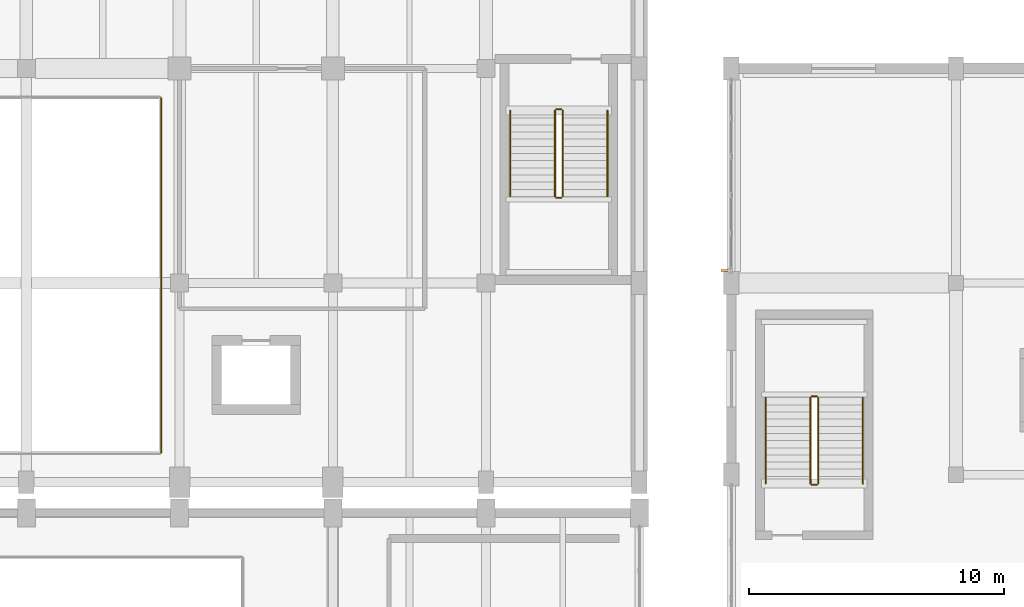
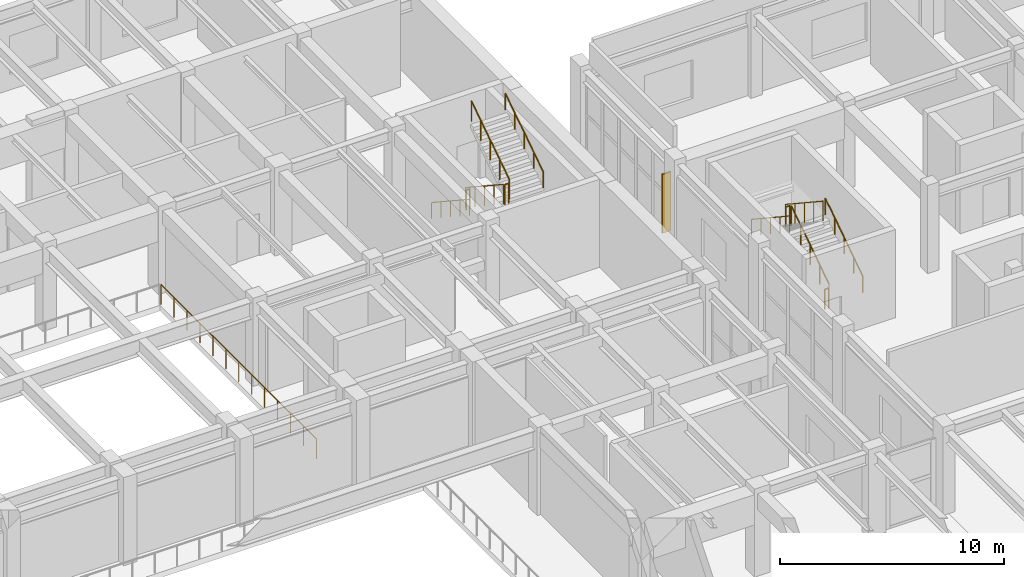
# One storey, part 95 of 96: 13 railings, 1 shading device.
"""IFC4 building model written with IfcOpenShell, lengths in metres."""

from ifc_helpers import new_model, si_unit, direction, frame, origin, origin_2d, place, context, subcontext, project, spatial, rectangle, circle, extrude, material, type_object, element, save


model = new_model("IFC4")

# Units and contexts
model_context = context("Model", 3, precision=1e-05, world=origin(), true_north=direction((0.0, 1.0)))
body_context = subcontext(model_context, "Body", "Model", "MODEL_VIEW")
ifc_project = project(units=[si_unit("LENGTHUNIT", "METRE"), si_unit("AREAUNIT", "SQUARE_METRE"), si_unit("VOLUMEUNIT", "CUBIC_METRE"), si_unit("PLANEANGLEUNIT", "RADIAN"), si_unit("MASSUNIT", "GRAM", prefix="KILO")], contexts=[model_context])

# Site, building, storey
site_placement = place(None, origin())
site = spatial("IfcSite", under=ifc_project, at=site_placement, CompositionType="ELEMENT")
building_placement = place(site_placement, origin())
building = spatial("IfcBuilding", under=site, at=building_placement, Name="Vaelkrest Opera House", CompositionType="ELEMENT")
storey_placement = place(building_placement, frame((0.0, 0.0, 5.39990234375)))
storey = spatial("IfcBuildingStorey", under=building, at=storey_placement, Name="L01", CompositionType="ELEMENT", Elevation=5.39990234375)

# Shading device
ifc_material = material(Name="Dark bronze anodized aluminium", Category="aluminium")
shading_device_type = type_object("IfcShadingDeviceType", Name="FIN01", PredefinedType="USERDEFINED", material=ifc_material)
shading_device_placement = place(storey_placement, frame((33.419921875, 25.685546875, 0.31396484375), z_axis=(0.0, 0.0, 1.0), x_axis=(-1.0, 0.0, 0.0)))
element("IfcShadingDevice", 1, at=shading_device_placement, inside=storey, type_object=shading_device_type, Name="Bronze vertical facade fin 19", ObjectType="FIN", PredefinedType="USERDEFINED", context=body_context, shape_type="SweptSolid", body=[
    extrude(rectangle(XDim=0.449951171875, YDim=0.080078125, at=origin_2d()), origin(), (0.0, 0.0, 1.0), 3.199951171875),
])

# Railings
railing_type_1 = type_object("IfcRailingType", Name="GR01", PredefinedType="GUARDRAIL", material=ifc_material)
railing_1_placement = place(storey_placement, frame((11.280029296875, 18.56005859375, 0.0)))
element("IfcRailing", 2, at=railing_1_placement, inside=storey, type_object=railing_type_1, Name="Atrium/stage void guard V2 L01-1 seg 2", PredefinedType="GUARDRAIL", context=body_context, shape_type="SweptSolid", body=[
    extrude(circle(Radius=0.02392578125, at=origin_2d()), frame((0.0, 0.0, 1.076171875), z_axis=(0.0, 1.0, 0.0), x_axis=(-1.0, 0.0, 0.0)), (0.0, 0.0, 1.0), 13.8798828125),
    extrude(circle(Radius=0.02099609375, at=origin_2d()), origin(), (0.0, 0.0, 1.0), 1.052001953125),
    extrude(circle(Radius=0.02099609375, at=origin_2d()), frame((0.0, 1.15673828125, 0.0)), (0.0, 0.0, 1.0), 1.052001953125),
    extrude(circle(Radius=0.02099609375, at=origin_2d()), frame((0.0, 2.313232421875, 0.0)), (0.0, 0.0, 1.0), 1.052001953125),
    extrude(circle(Radius=0.02099609375, at=origin_2d()), frame((0.0, 3.469970703125, 0.0)), (0.0, 0.0, 1.0), 1.052001953125),
    extrude(circle(Radius=0.02099609375, at=origin_2d()), frame((0.0, 4.626708984375, 0.0)), (0.0, 0.0, 1.0), 1.052001953125),
    extrude(circle(Radius=0.02099609375, at=origin_2d()), frame((0.0, 5.783203125, 0.0)), (0.0, 0.0, 1.0), 1.052001953125),
    extrude(circle(Radius=0.02099609375, at=origin_2d()), frame((0.0, 6.93994140625, 0.0)), (0.0, 0.0, 1.0), 1.052001953125),
    extrude(circle(Radius=0.02099609375, at=origin_2d()), frame((0.0, 8.0966796875, 0.0)), (0.0, 0.0, 1.0), 1.052001953125),
    extrude(circle(Radius=0.02099609375, at=origin_2d()), frame((0.0, 9.253173828125, 0.0)), (0.0, 0.0, 1.0), 1.052001953125),
    extrude(circle(Radius=0.02099609375, at=origin_2d()), frame((0.0, 10.409912109375, 0.0)), (0.0, 0.0, 1.0), 1.052001953125),
    extrude(circle(Radius=0.02099609375, at=origin_2d()), frame((0.0, 11.566650390625, 0.0)), (0.0, 0.0, 1.0), 1.052001953125),
    extrude(circle(Radius=0.02099609375, at=origin_2d()), frame((0.0, 12.72314453125, 0.0)), (0.0, 0.0, 1.0), 1.052001953125),
    extrude(circle(Radius=0.02099609375, at=origin_2d()), frame((0.0, 13.8798828125, 0.0)), (0.0, 0.0, 1.0), 1.052001953125),
])
railing_type_2 = type_object("IfcRailingType", Name="GR02", PredefinedType="GUARDRAIL", material=ifc_material)
railing_2_placement = place(storey_placement, frame((26.699951171875, 31.949951171875, 0.184814453125)))
element("IfcRailing", 3, at=railing_2_placement, inside=storey, type_object=railing_type_2, Name="L01 ST06 stair guard 1", PredefinedType="GUARDRAIL", context=body_context, shape_type="SweptSolid", body=[
    extrude(circle(Radius=0.02392578125, at=origin_2d()), frame((0.0, 0.0, 1.076171875), z_axis=(0.0, -0.834858096282, 0.550465220583), x_axis=(1.0, 0.0, 0.0)), (0.0, 0.0, 1.0), 4.0244140625),
    extrude(circle(Radius=0.02099609375, at=origin_2d()), origin(), (0.0, 0.0, 1.0), 1.052001953125),
    extrude(circle(Radius=0.02099609375, at=origin_2d()), frame((0.0, -0.83984375, 0.5537109375)), (0.0, 0.0, 1.0), 1.052001953125),
    extrude(circle(Radius=0.02099609375, at=origin_2d()), frame((0.0, -1.679931640625, 1.107666015625)), (0.0, 0.0, 1.0), 1.052001953125),
    extrude(circle(Radius=0.02099609375, at=origin_2d()), frame((0.0, -2.52001953125, 1.66162109375)), (0.0, 0.0, 1.0), 1.052001953125),
    extrude(circle(Radius=0.02099609375, at=origin_2d()), frame((0.0, -3.35986328125, 2.21533203125)), (0.0, 0.0, 1.0), 1.052001953125),
])
railing_3_placement = place(storey_placement, frame((26.75, 28.5400390625, 2.400146484375)))
element("IfcRailing", 4, at=railing_3_placement, inside=storey, type_object=railing_type_2, Name="L01 ST06 stair guard 2", PredefinedType="GUARDRAIL", context=body_context, shape_type="SweptSolid", body=[
    extrude(circle(Radius=0.02392578125, at=origin_2d()), frame((0.0, 0.0, 1.076171875), z_axis=(1.0, 0.0, 0.0), x_axis=(0.0, 1.0, 0.0)), (0.0, 0.0, 1.0), 0.199951171875),
    extrude(circle(Radius=0.02099609375, at=origin_2d()), origin(), (0.0, 0.0, 1.0), 1.052001953125),
    extrude(circle(Radius=0.02099609375, at=origin_2d()), frame((0.199951171875, 0.0, 0.0)), (0.0, 0.0, 1.0), 1.052001953125),
])
railing_4_placement = place(storey_placement, frame((27.0, 28.590087890625, 2.584716796875)))
element("IfcRailing", 5, at=railing_4_placement, inside=storey, type_object=railing_type_2, Name="L01 ST06 stair guard 3", PredefinedType="GUARDRAIL", context=body_context, shape_type="SweptSolid", body=[
    extrude(circle(Radius=0.02392578125, at=origin_2d()), frame((0.0, 0.0, 1.076171875), z_axis=(0.0, 0.834858096282, 0.550465220583), x_axis=(-1.0, 0.0, 0.0)), (0.0, 0.0, 1.0), 4.0244140625),
    extrude(circle(Radius=0.02099609375, at=origin_2d()), origin(), (0.0, 0.0, 1.0), 1.052001953125),
    extrude(circle(Radius=0.02099609375, at=origin_2d()), frame((0.0, 0.83984375, 0.5537109375)), (0.0, 0.0, 1.0), 1.052001953125),
    extrude(circle(Radius=0.02099609375, at=origin_2d()), frame((0.0, 1.679931640625, 1.107666015625)), (0.0, 0.0, 1.0), 1.052001953125),
    extrude(circle(Radius=0.02099609375, at=origin_2d()), frame((0.0, 2.52001953125, 1.66162109375)), (0.0, 0.0, 1.0), 1.052001953125),
    extrude(circle(Radius=0.02099609375, at=origin_2d()), frame((0.0, 3.35986328125, 2.21533203125)), (0.0, 0.0, 1.0), 1.052001953125),
])
railing_5_placement = place(storey_placement, frame((26.75, 32.0, 0.0)))
element("IfcRailing", 6, at=railing_5_placement, inside=storey, type_object=railing_type_2, Name="L01 ST06 stair guard 4", PredefinedType="GUARDRAIL", context=body_context, shape_type="SweptSolid", body=[
    extrude(circle(Radius=0.02392578125, at=origin_2d()), frame((0.0, 0.0, 1.076171875), z_axis=(1.0, 0.0, 0.0), x_axis=(0.0, 1.0, 0.0)), (0.0, 0.0, 1.0), 0.199951171875),
    extrude(circle(Radius=0.02099609375, at=origin_2d()), origin(), (0.0, 0.0, 1.0), 1.052001953125),
    extrude(circle(Radius=0.02099609375, at=origin_2d()), frame((0.199951171875, 0.0, 0.0)), (0.0, 0.0, 1.0), 1.052001953125),
])
railing_6_placement = place(storey_placement, frame((37.0, 17.35009765625, 0.184814453125)))
element("IfcRailing", 7, at=railing_6_placement, inside=storey, type_object=railing_type_2, Name="L01 ST09 stair guard 1", PredefinedType="GUARDRAIL", context=body_context, shape_type="SweptSolid", body=[
    extrude(circle(Radius=0.02392578125, at=origin_2d()), frame((0.0, 0.0, 1.076171875), z_axis=(0.0, 0.834858096282, 0.550465220583), x_axis=(-1.0, 0.0, 0.0)), (0.0, 0.0, 1.0), 4.0244140625),
    extrude(circle(Radius=0.02099609375, at=origin_2d()), origin(), (0.0, 0.0, 1.0), 1.052001953125),
    extrude(circle(Radius=0.02099609375, at=origin_2d()), frame((0.0, 0.83984375, 0.5537109375)), (0.0, 0.0, 1.0), 1.052001953125),
    extrude(circle(Radius=0.02099609375, at=origin_2d()), frame((0.0, 1.679931640625, 1.107666015625)), (0.0, 0.0, 1.0), 1.052001953125),
    extrude(circle(Radius=0.02099609375, at=origin_2d()), frame((0.0, 2.52001953125, 1.66162109375)), (0.0, 0.0, 1.0), 1.052001953125),
    extrude(circle(Radius=0.02099609375, at=origin_2d()), frame((0.0, 3.35986328125, 2.21533203125)), (0.0, 0.0, 1.0), 1.052001953125),
])
railing_7_placement = place(storey_placement, frame((36.949951171875, 20.760009765625, 2.400146484375)))
element("IfcRailing", 8, at=railing_7_placement, inside=storey, type_object=railing_type_2, Name="L01 ST09 stair guard 2", PredefinedType="GUARDRAIL", context=body_context, shape_type="SweptSolid", body=[
    extrude(circle(Radius=0.02392578125, at=origin_2d()), frame((0.0, 0.0, 1.076171875), z_axis=(-1.0, 0.0, 0.0), x_axis=(0.0, -1.0, 0.0)), (0.0, 0.0, 1.0), 0.199951171875),
    extrude(circle(Radius=0.02099609375, at=origin_2d()), origin(), (0.0, 0.0, 1.0), 1.052001953125),
    extrude(circle(Radius=0.02099609375, at=origin_2d()), frame((-0.199951171875, 0.0, 0.0)), (0.0, 0.0, 1.0), 1.052001953125),
])
railing_8_placement = place(storey_placement, frame((36.699951171875, 20.7099609375, 2.584716796875)))
element("IfcRailing", 9, at=railing_8_placement, inside=storey, type_object=railing_type_2, Name="L01 ST09 stair guard 3", PredefinedType="GUARDRAIL", context=body_context, shape_type="SweptSolid", body=[
    extrude(circle(Radius=0.02392578125, at=origin_2d()), frame((0.0, 0.0, 1.076171875), z_axis=(0.0, -0.834858096282, 0.550465220583), x_axis=(1.0, 0.0, 0.0)), (0.0, 0.0, 1.0), 4.0244140625),
    extrude(circle(Radius=0.02099609375, at=origin_2d()), origin(), (0.0, 0.0, 1.0), 1.052001953125),
    extrude(circle(Radius=0.02099609375, at=origin_2d()), frame((0.0, -0.83984375, 0.5537109375)), (0.0, 0.0, 1.0), 1.052001953125),
    extrude(circle(Radius=0.02099609375, at=origin_2d()), frame((0.0, -1.679931640625, 1.107666015625)), (0.0, 0.0, 1.0), 1.052001953125),
    extrude(circle(Radius=0.02099609375, at=origin_2d()), frame((0.0, -2.52001953125, 1.66162109375)), (0.0, 0.0, 1.0), 1.052001953125),
    extrude(circle(Radius=0.02099609375, at=origin_2d()), frame((0.0, -3.35986328125, 2.21533203125)), (0.0, 0.0, 1.0), 1.052001953125),
])
railing_9_placement = place(storey_placement, frame((36.949951171875, 17.300048828125, 0.0)))
element("IfcRailing", 10, at=railing_9_placement, inside=storey, type_object=railing_type_2, Name="L01 ST09 stair guard 4", PredefinedType="GUARDRAIL", context=body_context, shape_type="SweptSolid", body=[
    extrude(circle(Radius=0.02392578125, at=origin_2d()), frame((0.0, 0.0, 1.076171875), z_axis=(-1.0, 0.0, 0.0), x_axis=(0.0, -1.0, 0.0)), (0.0, 0.0, 1.0), 0.199951171875),
    extrude(circle(Radius=0.02099609375, at=origin_2d()), origin(), (0.0, 0.0, 1.0), 1.052001953125),
    extrude(circle(Radius=0.02099609375, at=origin_2d()), frame((-0.199951171875, 0.0, 0.0)), (0.0, 0.0, 1.0), 1.052001953125),
])
railing_type_3 = type_object("IfcRailingType", Name="HR02", PredefinedType="HANDRAIL", material=ifc_material)
railing_10_placement = place(storey_placement, frame((24.949951171875, 31.949951171875, 0.184814453125)))
element("IfcRailing", 11, at=railing_10_placement, inside=storey, type_object=railing_type_3, Name="L01 ST06 stair handrail 1", PredefinedType="HANDRAIL", context=body_context, shape_type="SweptSolid", body=[
    extrude(circle(Radius=0.02392578125, at=origin_2d()), frame((0.0, 0.0, 0.8759765625), z_axis=(0.0, -0.834858096282, 0.550465220583), x_axis=(1.0, 0.0, 0.0)), (0.0, 0.0, 1.0), 4.0244140625),
    extrude(circle(Radius=0.02099609375, at=origin_2d()), origin(), (0.0, 0.0, 1.0), 0.851806640625),
    extrude(circle(Radius=0.02099609375, at=origin_2d()), frame((0.0, -0.83984375, 0.5537109375)), (0.0, 0.0, 1.0), 0.851806640625),
    extrude(circle(Radius=0.02099609375, at=origin_2d()), frame((0.0, -1.679931640625, 1.107666015625)), (0.0, 0.0, 1.0), 0.851806640625),
    extrude(circle(Radius=0.02099609375, at=origin_2d()), frame((0.0, -2.52001953125, 1.66162109375)), (0.0, 0.0, 1.0), 0.851806640625),
    extrude(circle(Radius=0.02099609375, at=origin_2d()), frame((0.0, -3.35986328125, 2.21533203125)), (0.0, 0.0, 1.0), 0.851806640625),
])
for number, where, name in (
    (12, (28.75, 28.590087890625, 2.584716796875), "L01 ST06 stair handrail 2"),
    (13, (38.75, 17.35009765625, 0.184814453125), "L01 ST09 stair handrail 1"),
):
    element("IfcRailing", number, at=place(storey_placement, frame(where)), inside=storey, type_object=railing_type_3, Name=name, PredefinedType="HANDRAIL", context=body_context, shape_type="SweptSolid", body=[
        extrude(circle(Radius=0.02392578125, at=origin_2d()), frame((0.0, 0.0, 0.8759765625), z_axis=(0.0, 0.834858096282, 0.550465220583), x_axis=(-1.0, 0.0, 0.0)), (0.0, 0.0, 1.0), 4.0244140625),
        extrude(circle(Radius=0.02099609375, at=origin_2d()), origin(), (0.0, 0.0, 1.0), 0.851806640625),
        extrude(circle(Radius=0.02099609375, at=origin_2d()), frame((0.0, 0.83984375, 0.5537109375)), (0.0, 0.0, 1.0), 0.851806640625),
        extrude(circle(Radius=0.02099609375, at=origin_2d()), frame((0.0, 1.679931640625, 1.107666015625)), (0.0, 0.0, 1.0), 0.851806640625),
        extrude(circle(Radius=0.02099609375, at=origin_2d()), frame((0.0, 2.52001953125, 1.66162109375)), (0.0, 0.0, 1.0), 0.851806640625),
        extrude(circle(Radius=0.02099609375, at=origin_2d()), frame((0.0, 3.35986328125, 2.21533203125)), (0.0, 0.0, 1.0), 0.851806640625),
    ])
railing_11_placement = place(storey_placement, frame((34.949951171875, 20.7099609375, 2.584716796875)))
element("IfcRailing", 14, at=railing_11_placement, inside=storey, type_object=railing_type_3, Name="L01 ST09 stair handrail 2", PredefinedType="HANDRAIL", context=body_context, shape_type="SweptSolid", body=[
    extrude(circle(Radius=0.02392578125, at=origin_2d()), frame((0.0, 0.0, 0.8759765625), z_axis=(0.0, -0.834858096282, 0.550465220583), x_axis=(1.0, 0.0, 0.0)), (0.0, 0.0, 1.0), 4.0244140625),
    extrude(circle(Radius=0.02099609375, at=origin_2d()), origin(), (0.0, 0.0, 1.0), 0.851806640625),
    extrude(circle(Radius=0.02099609375, at=origin_2d()), frame((0.0, -0.83984375, 0.5537109375)), (0.0, 0.0, 1.0), 0.851806640625),
    extrude(circle(Radius=0.02099609375, at=origin_2d()), frame((0.0, -1.679931640625, 1.107666015625)), (0.0, 0.0, 1.0), 0.851806640625),
    extrude(circle(Radius=0.02099609375, at=origin_2d()), frame((0.0, -2.52001953125, 1.66162109375)), (0.0, 0.0, 1.0), 0.851806640625),
    extrude(circle(Radius=0.02099609375, at=origin_2d()), frame((0.0, -3.35986328125, 2.21533203125)), (0.0, 0.0, 1.0), 0.851806640625),
])

save(model, "model.ifc")
